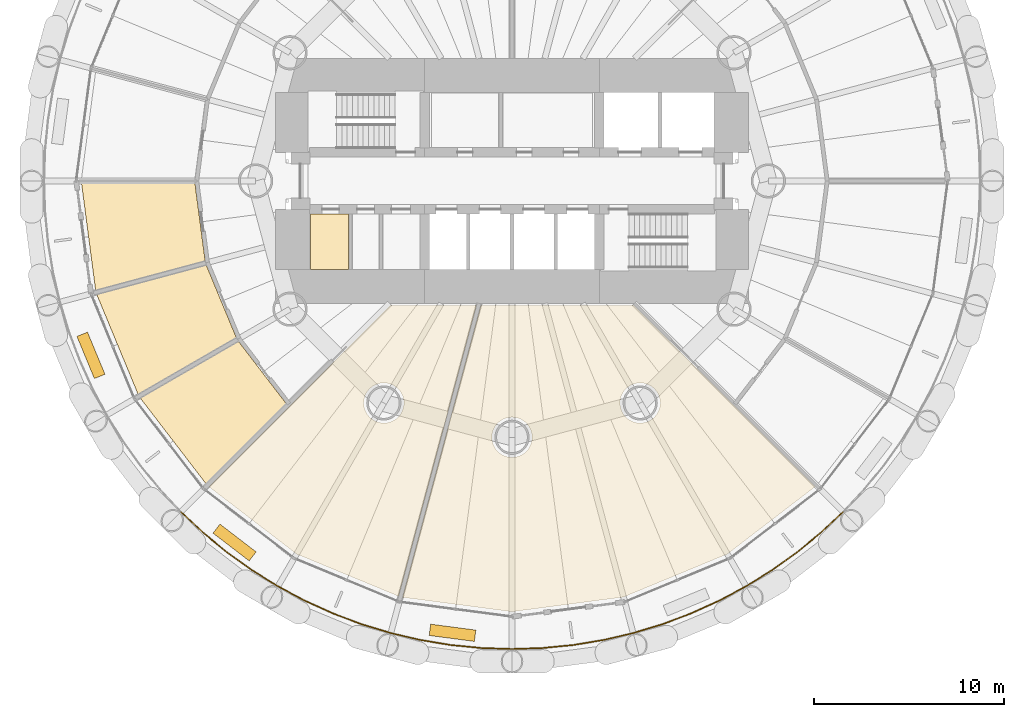
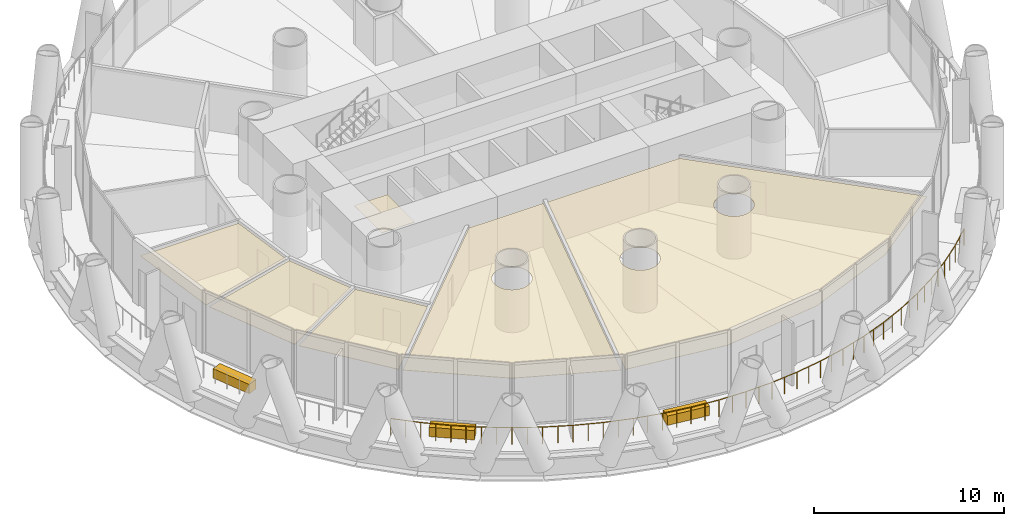
# One storey, part 13 of 16: 9 coverings, 1 railing.
"""IFC4 building model written with IfcOpenShell, lengths in metres."""

from ifc_helpers import new_model, si_unit, direction, frame, origin, origin_2d, place, context, subcontext, project, spatial, polyline, rectangle, circle, outline, extrude, material, layer, layer_set, type_object, element, save


model = new_model("IFC4")

# Units and contexts
model_context = context("Model", 3, precision=1e-05, world=origin(), true_north=direction((0.0, 1.0)))
body_context = subcontext(model_context, "Body", "Model", "MODEL_VIEW")
ifc_project = project(units=[si_unit("LENGTHUNIT", "METRE"), si_unit("AREAUNIT", "SQUARE_METRE"), si_unit("VOLUMEUNIT", "CUBIC_METRE"), si_unit("PLANEANGLEUNIT", "RADIAN"), si_unit("MASSUNIT", "GRAM", prefix="KILO")], contexts=[model_context])

# Site, building, storey
site_placement = place(None, origin())
site = spatial("IfcSite", under=ifc_project, at=site_placement, CompositionType="ELEMENT")
building_placement = place(site_placement, origin())
building = spatial("IfcBuilding", under=site, at=building_placement, Name="Qaws Media Tower", CompositionType="ELEMENT")
storey_placement = place(building_placement, frame((0.0, 0.0, 105.800048828125)))
storey = spatial("IfcBuildingStorey", under=building, at=storey_placement, Name="L23", CompositionType="ELEMENT", Elevation=105.800048828125)

# Railing
ifc_material_1 = material(Name="Stainless steel and glass guard", Category="steel")
railing_type = type_object("IfcRailingType", Name="Balcony guard 1100", PredefinedType="GUARDRAIL", material=ifc_material_1)
railing_placement = place(storey_placement, frame((42.56982421875, 32.56982421875, 0.0)))
element("IfcRailing", 1, at=railing_placement, inside=storey, type_object=railing_type, Name="GR1 balcony guard L23-3", PredefinedType="GUARDRAIL", context=body_context, shape_type="SweptSolid", body=[
    extrude(circle(Radius=0.02392578125, at=origin_2d()), frame((0.0, 0.0, 1.076171875), z_axis=(0.729810897711, -0.683649071953, 0.0), x_axis=(0.683649071953, 0.729810897711, 0.0)), (0.0, 0.0, 1.0), 1.613037109375),
    extrude(circle(Radius=0.02392578125, at=origin_2d()), frame((1.17724609375, -1.102783203125, 1.076171875), z_axis=(0.773086691334, -0.634300376543, 0.0), x_axis=(0.634300376543, 0.773086691334, 0.0)), (0.0, 0.0, 1.0), 1.613037109375),
    extrude(circle(Radius=0.02392578125, at=origin_2d()), frame((2.42431640625, -2.1259765625, 1.076171875), z_axis=(0.8128529613, -0.582468937632, 0.0), x_axis=(0.582468937632, 0.8128529613, 0.0)), (0.0, 0.0, 1.0), 1.61279296875),
    extrude(circle(Radius=0.02392578125, at=origin_2d()), frame((3.7353515625, -3.0654296875, 1.076171875), z_axis=(0.849211955716, -0.52805213215, 0.0), x_axis=(0.52805213215, 0.849211955716, 0.0)), (0.0, 0.0, 1.0), 1.613037109375),
    extrude(circle(Radius=0.02392578125, at=origin_2d()), frame((5.105224609375, -3.917236328125, 1.076171875), z_axis=(0.881895867878, -0.471444247201, 0.0), x_axis=(0.471444247201, 0.881895867878, 0.0)), (0.0, 0.0, 1.0), 1.613037109375),
    extrude(circle(Radius=0.02392578125, at=origin_2d()), frame((6.52783203125, -4.677734375, 1.076171875), z_axis=(0.910847911629, -0.412742149387, 0.0), x_axis=(0.412742149387, 0.910847911629, 0.0)), (0.0, 0.0, 1.0), 1.613037109375),
    extrude(circle(Radius=0.02392578125, at=origin_2d()), frame((7.9970703125, -5.343505859375, 1.076171875), z_axis=(0.93591173605, -0.352234612614, 0.0), x_axis=(0.352234612614, 0.93591173605, 0.0)), (0.0, 0.0, 1.0), 1.61279296875),
    extrude(circle(Radius=0.02392578125, at=origin_2d()), frame((9.506591796875, -5.91162109375, 1.076171875), z_axis=(0.956942903571, -0.290276212091, 0.0), x_axis=(0.290276212091, 0.956942903571, 0.0)), (0.0, 0.0, 1.0), 1.613037109375),
    extrude(circle(Radius=0.02392578125, at=origin_2d()), frame((11.05029296875, -6.3798828125, 1.076171875), z_axis=(0.973883619679, -0.22704778202, 0.0), x_axis=(0.22704778202, 0.973883619679, 0.0)), (0.0, 0.0, 1.0), 1.613037109375),
    extrude(circle(Radius=0.02392578125, at=origin_2d()), frame((12.62109375, -6.74609375, 1.076171875), z_axis=(0.986626086838, -0.162999891935, 0.0), x_axis=(0.162999891935, 0.986626086838, 0.0)), (0.0, 0.0, 1.0), 1.613037109375),
    extrude(circle(Radius=0.02392578125, at=origin_2d()), frame((14.212646484375, -7.009033203125, 1.076171875), z_axis=(0.995193300671, -0.09793004799, 0.0), x_axis=(0.09793004799, 0.995193300671, 0.0)), (0.0, 0.0, 1.0), 1.613037109375),
    extrude(circle(Radius=0.02392578125, at=origin_2d()), frame((15.81787109375, -7.1669921875, 1.076171875), z_axis=(0.999465540133, -0.032689969211, 0.0), x_axis=(0.032689969211, 0.999465540133, 0.0)), (0.0, 0.0, 1.0), 1.61328125),
    extrude(circle(Radius=0.02392578125, at=origin_2d()), frame((17.43017578125, -7.2197265625, 1.076171875), z_axis=(0.999465540133, 0.032689969211, 0.0), x_axis=(-0.032689969211, 0.999465540133, 0.0)), (0.0, 0.0, 1.0), 1.61328125),
    extrude(circle(Radius=0.02392578125, at=origin_2d()), frame((19.04248046875, -7.1669921875, 1.076171875), z_axis=(0.995193300671, 0.09793004799, 0.0), x_axis=(-0.09793004799, 0.995193300671, 0.0)), (0.0, 0.0, 1.0), 1.613037109375),
    extrude(circle(Radius=0.02392578125, at=origin_2d()), frame((20.647705078125, -7.009033203125, 1.076171875), z_axis=(0.986626086838, 0.162999891935, 0.0), x_axis=(-0.162999891935, 0.986626086838, 0.0)), (0.0, 0.0, 1.0), 1.613037109375),
    extrude(circle(Radius=0.02392578125, at=origin_2d()), frame((22.2392578125, -6.74609375, 1.076171875), z_axis=(0.973883619679, 0.22704778202, 0.0), x_axis=(-0.22704778202, 0.973883619679, 0.0)), (0.0, 0.0, 1.0), 1.613037109375),
    extrude(circle(Radius=0.02392578125, at=origin_2d()), frame((23.81005859375, -6.3798828125, 1.076171875), z_axis=(0.956942903571, 0.290276212091, 0.0), x_axis=(-0.290276212091, 0.956942903571, 0.0)), (0.0, 0.0, 1.0), 1.613037109375),
    extrude(circle(Radius=0.02392578125, at=origin_2d()), frame((25.353759765625, -5.91162109375, 1.076171875), z_axis=(0.93591173605, 0.352234612614, 0.0), x_axis=(-0.352234612614, 0.93591173605, 0.0)), (0.0, 0.0, 1.0), 1.61279296875),
    extrude(circle(Radius=0.02392578125, at=origin_2d()), frame((26.86328125, -5.343505859375, 1.076171875), z_axis=(0.910847911629, 0.412742149387, 0.0), x_axis=(-0.412742149387, 0.910847911629, 0.0)), (0.0, 0.0, 1.0), 1.613037109375),
    extrude(circle(Radius=0.02392578125, at=origin_2d()), frame((28.33251953125, -4.677734375, 1.076171875), z_axis=(0.881895867878, 0.471444247201, 0.0), x_axis=(-0.471444247201, 0.881895867878, 0.0)), (0.0, 0.0, 1.0), 1.613037109375),
    extrude(circle(Radius=0.02392578125, at=origin_2d()), frame((29.755126953125, -3.917236328125, 1.076171875), z_axis=(0.849211955716, 0.52805213215, 0.0), x_axis=(-0.52805213215, 0.849211955716, 0.0)), (0.0, 0.0, 1.0), 1.613037109375),
    extrude(circle(Radius=0.02392578125, at=origin_2d()), frame((31.125, -3.0654296875, 1.076171875), z_axis=(0.8128529613, 0.582468937632, 0.0), x_axis=(-0.582468937632, 0.8128529613, 0.0)), (0.0, 0.0, 1.0), 1.61279296875),
    extrude(circle(Radius=0.02392578125, at=origin_2d()), frame((32.43603515625, -2.1259765625, 1.076171875), z_axis=(0.773086691334, 0.634300376543, 0.0), x_axis=(-0.634300376543, 0.773086691334, 0.0)), (0.0, 0.0, 1.0), 1.613037109375),
    extrude(circle(Radius=0.02392578125, at=origin_2d()), frame((33.68310546875, -1.102783203125, 1.076171875), z_axis=(0.729810897711, 0.683649071953, 0.0), x_axis=(-0.683649071953, 0.729810897711, 0.0)), (0.0, 0.0, 1.0), 1.613037109375),
    extrude(circle(Radius=0.02099609375, at=origin_2d()), origin(), (0.0, 0.0, 1.0), 1.052001953125),
    extrude(circle(Radius=0.02099609375, at=origin_2d()), frame((0.588623046875, -0.55126953125, 0.0)), (0.0, 0.0, 1.0), 1.052001953125),
    extrude(circle(Radius=0.02099609375, at=origin_2d()), frame((1.17724609375, -1.102783203125, 0.0)), (0.0, 0.0, 1.0), 1.052001953125),
    extrude(circle(Radius=0.02099609375, at=origin_2d()), frame((1.80078125, -1.6142578125, 0.0)), (0.0, 0.0, 1.0), 1.052001953125),
    extrude(circle(Radius=0.02099609375, at=origin_2d()), frame((2.42431640625, -2.1259765625, 0.0)), (0.0, 0.0, 1.0), 1.052001953125),
    extrude(circle(Radius=0.02099609375, at=origin_2d()), frame((3.079833984375, -2.595703125, 0.0)), (0.0, 0.0, 1.0), 1.052001953125),
    extrude(circle(Radius=0.02099609375, at=origin_2d()), frame((3.7353515625, -3.0654296875, 0.0)), (0.0, 0.0, 1.0), 1.052001953125),
    extrude(circle(Radius=0.02099609375, at=origin_2d()), frame((4.42041015625, -3.4912109375, 0.0)), (0.0, 0.0, 1.0), 1.052001953125),
    extrude(circle(Radius=0.02099609375, at=origin_2d()), frame((5.105224609375, -3.917236328125, 0.0)), (0.0, 0.0, 1.0), 1.052001953125),
    extrude(circle(Radius=0.02099609375, at=origin_2d()), frame((5.81640625, -4.29736328125, 0.0)), (0.0, 0.0, 1.0), 1.052001953125),
    extrude(circle(Radius=0.02099609375, at=origin_2d()), frame((6.52783203125, -4.677734375, 0.0)), (0.0, 0.0, 1.0), 1.052001953125),
    extrude(circle(Radius=0.02099609375, at=origin_2d()), frame((7.262451171875, -5.0107421875, 0.0)), (0.0, 0.0, 1.0), 1.052001953125),
    extrude(circle(Radius=0.02099609375, at=origin_2d()), frame((7.9970703125, -5.343505859375, 0.0)), (0.0, 0.0, 1.0), 1.052001953125),
    extrude(circle(Radius=0.02099609375, at=origin_2d()), frame((8.751953125, -5.62744140625, 0.0)), (0.0, 0.0, 1.0), 1.052001953125),
    extrude(circle(Radius=0.02099609375, at=origin_2d()), frame((9.506591796875, -5.91162109375, 0.0)), (0.0, 0.0, 1.0), 1.052001953125),
    extrude(circle(Radius=0.02099609375, at=origin_2d()), frame((10.2783203125, -6.145751953125, 0.0)), (0.0, 0.0, 1.0), 1.052001953125),
    extrude(circle(Radius=0.02099609375, at=origin_2d()), frame((11.05029296875, -6.3798828125, 0.0)), (0.0, 0.0, 1.0), 1.052001953125),
    extrude(circle(Radius=0.02099609375, at=origin_2d()), frame((11.835693359375, -6.56298828125, 0.0)), (0.0, 0.0, 1.0), 1.052001953125),
    extrude(circle(Radius=0.02099609375, at=origin_2d()), frame((12.62109375, -6.74609375, 0.0)), (0.0, 0.0, 1.0), 1.052001953125),
    extrude(circle(Radius=0.02099609375, at=origin_2d()), frame((13.4169921875, -6.87744140625, 0.0)), (0.0, 0.0, 1.0), 1.052001953125),
    extrude(circle(Radius=0.02099609375, at=origin_2d()), frame((14.212646484375, -7.009033203125, 0.0)), (0.0, 0.0, 1.0), 1.052001953125),
    extrude(circle(Radius=0.02099609375, at=origin_2d()), frame((15.01513671875, -7.087890625, 0.0)), (0.0, 0.0, 1.0), 1.052001953125),
    extrude(circle(Radius=0.02099609375, at=origin_2d()), frame((15.81787109375, -7.1669921875, 0.0)), (0.0, 0.0, 1.0), 1.052001953125),
    extrude(circle(Radius=0.02099609375, at=origin_2d()), frame((16.6240234375, -7.193359375, 0.0)), (0.0, 0.0, 1.0), 1.052001953125),
    extrude(circle(Radius=0.02099609375, at=origin_2d()), frame((17.43017578125, -7.2197265625, 0.0)), (0.0, 0.0, 1.0), 1.052001953125),
    extrude(circle(Radius=0.02099609375, at=origin_2d()), frame((18.236328125, -7.193359375, 0.0)), (0.0, 0.0, 1.0), 1.052001953125),
    extrude(circle(Radius=0.02099609375, at=origin_2d()), frame((19.04248046875, -7.1669921875, 0.0)), (0.0, 0.0, 1.0), 1.052001953125),
    extrude(circle(Radius=0.02099609375, at=origin_2d()), frame((19.84521484375, -7.087890625, 0.0)), (0.0, 0.0, 1.0), 1.052001953125),
    extrude(circle(Radius=0.02099609375, at=origin_2d()), frame((20.647705078125, -7.009033203125, 0.0)), (0.0, 0.0, 1.0), 1.052001953125),
    extrude(circle(Radius=0.02099609375, at=origin_2d()), frame((21.443359375, -6.87744140625, 0.0)), (0.0, 0.0, 1.0), 1.052001953125),
    extrude(circle(Radius=0.02099609375, at=origin_2d()), frame((22.2392578125, -6.74609375, 0.0)), (0.0, 0.0, 1.0), 1.052001953125),
    extrude(circle(Radius=0.02099609375, at=origin_2d()), frame((23.024658203125, -6.56298828125, 0.0)), (0.0, 0.0, 1.0), 1.052001953125),
    extrude(circle(Radius=0.02099609375, at=origin_2d()), frame((23.81005859375, -6.3798828125, 0.0)), (0.0, 0.0, 1.0), 1.052001953125),
    extrude(circle(Radius=0.02099609375, at=origin_2d()), frame((24.58203125, -6.145751953125, 0.0)), (0.0, 0.0, 1.0), 1.052001953125),
    extrude(circle(Radius=0.02099609375, at=origin_2d()), frame((25.353759765625, -5.91162109375, 0.0)), (0.0, 0.0, 1.0), 1.052001953125),
    extrude(circle(Radius=0.02099609375, at=origin_2d()), frame((26.1083984375, -5.62744140625, 0.0)), (0.0, 0.0, 1.0), 1.052001953125),
    extrude(circle(Radius=0.02099609375, at=origin_2d()), frame((26.86328125, -5.343505859375, 0.0)), (0.0, 0.0, 1.0), 1.052001953125),
    extrude(circle(Radius=0.02099609375, at=origin_2d()), frame((27.597900390625, -5.0107421875, 0.0)), (0.0, 0.0, 1.0), 1.052001953125),
    extrude(circle(Radius=0.02099609375, at=origin_2d()), frame((28.33251953125, -4.677734375, 0.0)), (0.0, 0.0, 1.0), 1.052001953125),
    extrude(circle(Radius=0.02099609375, at=origin_2d()), frame((29.0439453125, -4.29736328125, 0.0)), (0.0, 0.0, 1.0), 1.052001953125),
    extrude(circle(Radius=0.02099609375, at=origin_2d()), frame((29.755126953125, -3.917236328125, 0.0)), (0.0, 0.0, 1.0), 1.052001953125),
    extrude(circle(Radius=0.02099609375, at=origin_2d()), frame((30.43994140625, -3.4912109375, 0.0)), (0.0, 0.0, 1.0), 1.052001953125),
    extrude(circle(Radius=0.02099609375, at=origin_2d()), frame((31.125, -3.0654296875, 0.0)), (0.0, 0.0, 1.0), 1.052001953125),
    extrude(circle(Radius=0.02099609375, at=origin_2d()), frame((31.780517578125, -2.595703125, 0.0)), (0.0, 0.0, 1.0), 1.052001953125),
    extrude(circle(Radius=0.02099609375, at=origin_2d()), frame((32.43603515625, -2.1259765625, 0.0)), (0.0, 0.0, 1.0), 1.052001953125),
    extrude(circle(Radius=0.02099609375, at=origin_2d()), frame((33.0595703125, -1.6142578125, 0.0)), (0.0, 0.0, 1.0), 1.052001953125),
    extrude(circle(Radius=0.02099609375, at=origin_2d()), frame((33.68310546875, -1.102783203125, 0.0)), (0.0, 0.0, 1.0), 1.052001953125),
    extrude(circle(Radius=0.02099609375, at=origin_2d()), frame((34.271728515625, -0.55126953125, 0.0)), (0.0, 0.0, 1.0), 1.052001953125),
    extrude(circle(Radius=0.02099609375, at=origin_2d()), frame((34.8603515625, 0.0, 0.0)), (0.0, 0.0, 1.0), 1.052001953125),
])

# Coverings
ifc_material_2 = material(Name="600 x 600 mineral fibre tiles in exposed grid, suspended", Category="mineral fibre")
ifc_layer_1 = layer(ifc_material_2, 0.02001953125)
ifc_layer_set_1 = layer_set([ifc_layer_1], Name="Mineral fibre tile ceiling 20")
covering_type_1 = type_object("IfcCoveringType", Name="Mineral fibre tile ceiling 20", PredefinedType="CEILING", material=ifc_layer_set_1)
covering_1_placement = place(storey_placement, frame((0.0, 0.0, 2.849853515625)))
element("IfcCovering", 2, at=covering_1_placement, inside=storey, type_object=covering_type_1, Name="CL1 ceiling L23-11 Staff clinic", PredefinedType="CEILING", context=body_context, shape_type="SweptSolid", body=[
    extrude(outline(polyline([(75.950927734375, 33.889892578125), (71.342529296875, 30.35400390625), (65.871337890625, 28.087646484375), (60.0, 27.314697265625), (54.2412109375, 28.072998046875), (58.358154296875, 43.4375), (66.4033203125, 43.4375), (75.950927734375, 33.889892578125)]), holes=[polyline([(61.02392578125, 36.2255859375), (61.05078125, 36.361572265625), (61.06005859375, 36.5), (61.05078125, 36.638427734375), (61.02392578125, 36.7744140625), (60.979248046875, 36.905517578125), (60.91796875, 37.030029296875), (60.841064453125, 37.145263671875), (60.74951171875, 37.24951171875), (60.645263671875, 37.341064453125), (60.530029296875, 37.41796875), (60.405517578125, 37.479248046875), (60.2744140625, 37.52392578125), (60.138427734375, 37.55078125), (60.0, 37.56005859375), (59.861572265625, 37.55078125), (59.7255859375, 37.52392578125), (59.594482421875, 37.479248046875), (59.469970703125, 37.41796875), (59.354736328125, 37.341064453125), (59.25048828125, 37.24951171875), (59.158935546875, 37.145263671875), (59.08203125, 37.030029296875), (59.020751953125, 36.905517578125), (58.97607421875, 36.7744140625), (58.94921875, 36.638427734375), (58.93994140625, 36.5), (58.94921875, 36.361572265625), (58.97607421875, 36.2255859375), (59.020751953125, 36.094482421875), (59.08203125, 35.969970703125), (59.158935546875, 35.854736328125), (59.25048828125, 35.75048828125), (59.354736328125, 35.658935546875), (59.469970703125, 35.58203125), (59.594482421875, 35.520751953125), (59.7255859375, 35.47607421875), (59.861572265625, 35.44921875), (60.0, 35.43994140625), (60.138427734375, 35.44921875), (60.2744140625, 35.47607421875), (60.405517578125, 35.520751953125), (60.530029296875, 35.58203125), (60.645263671875, 35.658935546875), (60.74951171875, 35.75048828125), (60.841064453125, 35.854736328125), (60.91796875, 35.969970703125), (60.979248046875, 36.094482421875), (61.02392578125, 36.2255859375)]), polyline([(67.729248046875, 37.903076171875), (67.77392578125, 38.0341796875), (67.80078125, 38.17041015625), (67.81005859375, 38.30859375), (67.80078125, 38.447021484375), (67.77392578125, 38.5830078125), (67.729248046875, 38.71435546875), (67.66796875, 38.838623046875), (67.591064453125, 38.953857421875), (67.49951171875, 39.05810546875), (67.395263671875, 39.149658203125), (67.280029296875, 39.2265625), (67.155517578125, 39.2880859375), (67.0244140625, 39.33251953125), (66.888427734375, 39.359619140625), (66.75, 39.36865234375), (66.611572265625, 39.359619140625), (66.4755859375, 39.33251953125), (66.344482421875, 39.2880859375), (66.219970703125, 39.2265625), (66.104736328125, 39.149658203125), (66.00048828125, 39.05810546875), (65.908935546875, 38.953857421875), (65.83203125, 38.838623046875), (65.770751953125, 38.71435546875), (65.72607421875, 38.5830078125), (65.69921875, 38.447021484375), (65.68994140625, 38.30859375), (65.69921875, 38.17041015625), (65.72607421875, 38.0341796875), (65.770751953125, 37.903076171875), (65.83203125, 37.77880859375), (65.908935546875, 37.663330078125), (66.00048828125, 37.55908203125), (66.104736328125, 37.4677734375), (66.219970703125, 37.390625), (66.344482421875, 37.329345703125), (66.4755859375, 37.284912109375), (66.611572265625, 37.2578125), (66.75, 37.248779296875), (66.888427734375, 37.2578125), (67.0244140625, 37.284912109375), (67.155517578125, 37.329345703125), (67.280029296875, 37.390625), (67.395263671875, 37.4677734375), (67.49951171875, 37.55908203125), (67.591064453125, 37.663330078125), (67.66796875, 37.77880859375), (67.729248046875, 37.903076171875)])]), origin(), (0.0, 0.0, 1.0), 0.02001953125),
])
covering_2_placement = place(storey_placement, frame((0.0, 0.0, 2.849853515625)))
element("IfcCovering", 3, at=covering_2_placement, inside=storey, type_object=covering_type_1, Name="CL1 ceiling L23-C04 Shower room", PredefinedType="CEILING", context=body_context, shape_type="SweptSolid", body=[
    extrude(outline(polyline([(49.39990234375, 45.35009765625), (49.39990234375, 48.25), (51.39990234375, 48.25), (51.39990234375, 45.35009765625), (49.39990234375, 45.35009765625)])), origin(), (0.0, 0.0, 1.0), 0.02001953125),
])
ifc_material_3 = material(Name="Precast concrete planter with trailing planting", Category="concrete")
ifc_layer_2 = layer(ifc_material_3, 0.60009765625)
ifc_layer_set_2 = layer_set([ifc_layer_2], Name="Planter 2400x600")
covering_type_2 = type_object("IfcCoveringType", Name="Planter 2400x600", PredefinedType="USERDEFINED", material=ifc_layer_set_2)
for number, where, z_axis, x_axis, name in (
    (4, (37.826904296875, 40.815673828125, 0.0), (0.0, 0.0, 1.0), (0.382683432365, -0.923879532511, 0.0), "PL1 balcony planter L23-07"),
    (5, (45.3896484375, 30.95947265625, 0.0), (0.0, 0.0, 1.0), (0.793353340291, -0.608761429009, 0.0), "PL1 balcony planter L23-08"),
    (6, (56.867431640625, 26.205322265625, 0.0), (0.0, 0.0, 1.0), (0.991444861374, -0.13052619222, 0.0), "PL1 balcony planter L23-09"),
):
    element("IfcCovering", number, at=place(storey_placement, frame(where, z_axis=z_axis, x_axis=x_axis)), inside=storey, type_object=covering_type_2, Name=name, ObjectType="PLANTER", PredefinedType="USERDEFINED", context=body_context, shape_type="SweptSolid", body=[
        extrude(rectangle(XDim=2.39990234375, YDim=0.60009765625, at=origin_2d()), origin(), (0.0, 0.0, 1.0), 0.60009765625),
    ])
ifc_material_4 = material(Name="Two layers 12.5 moisture-resistant plasterboard on suspended metal furring", Category="gypsum")
ifc_layer_3 = layer(ifc_material_4, 0.02490234375)
ifc_layer_set_3 = layer_set([ifc_layer_3], Name="Plasterboard ceiling 25")
covering_type_3 = type_object("IfcCoveringType", Name="Plasterboard ceiling 25", PredefinedType="CEILING", material=ifc_layer_set_3)
covering_3_placement = place(storey_placement, frame((0.0, 0.0, 2.849853515625)))
element("IfcCovering", 7, at=covering_3_placement, inside=storey, type_object=covering_type_3, Name="CL2 ceiling L23-07 Staff office", PredefinedType="CEILING", context=body_context, shape_type="SweptSolid", body=[
    extrude(outline(polyline([(37.32958984375, 49.887451171875), (43.30126953125, 49.887451171875), (43.84130859375, 45.78662109375), (38.072998046875, 44.2412109375), (37.32958984375, 49.887451171875)])), origin(), (0.0, 0.0, 1.0), 0.025146484375),
])
covering_4_placement = place(storey_placement, frame((0.0, 0.0, 2.849853515625)))
element("IfcCovering", 8, at=covering_4_placement, inside=storey, type_object=covering_type_3, Name="CL2 ceiling L23-08 Ablutions (men)", PredefinedType="CEILING", context=body_context, shape_type="SweptSolid", body=[
    extrude(outline(polyline([(38.131103515625, 44.023681640625), (43.8994140625, 45.5693359375), (45.482421875, 41.748046875), (40.310546875, 38.76220703125), (38.131103515625, 44.023681640625)])), origin(), (0.0, 0.0, 1.0), 0.025146484375),
])
covering_5_placement = place(storey_placement, frame((0.0, 0.0, 2.849853515625)))
element("IfcCovering", 9, at=covering_5_placement, inside=storey, type_object=covering_type_3, Name="CL2 ceiling L23-09 Ablutions (women)", PredefinedType="CEILING", context=body_context, shape_type="SweptSolid", body=[
    extrude(outline(polyline([(40.423095703125, 38.5673828125), (45.5947265625, 41.55322265625), (48.11279296875, 38.271728515625), (43.889892578125, 34.049072265625), (40.423095703125, 38.5673828125)])), origin(), (0.0, 0.0, 1.0), 0.025146484375),
])
covering_6_placement = place(storey_placement, frame((0.0, 0.0, 2.849853515625)))
element("IfcCovering", 10, at=covering_6_placement, inside=storey, type_object=covering_type_3, Name="CL2 ceiling L23-10 IT help desk", PredefinedType="CEILING", context=body_context, shape_type="SweptSolid", body=[
    extrude(outline(polyline([(48.657470703125, 30.35400390625), (44.049072265625, 33.889892578125), (53.5966796875, 43.4375), (58.125, 43.4375), (54.023681640625, 28.131103515625), (48.657470703125, 30.35400390625)]), holes=[polyline([(54.27392578125, 38.0341796875), (54.30078125, 38.17041015625), (54.31005859375, 38.30859375), (54.30078125, 38.447021484375), (54.27392578125, 38.5830078125), (54.229248046875, 38.71435546875), (54.16796875, 38.838623046875), (54.091064453125, 38.953857421875), (53.99951171875, 39.05810546875), (53.895263671875, 39.149658203125), (53.780029296875, 39.2265625), (53.655517578125, 39.2880859375), (53.5244140625, 39.33251953125), (53.388427734375, 39.359619140625), (53.25, 39.36865234375), (53.111572265625, 39.359619140625), (52.9755859375, 39.33251953125), (52.844482421875, 39.2880859375), (52.719970703125, 39.2265625), (52.604736328125, 39.149658203125), (52.50048828125, 39.05810546875), (52.408935546875, 38.953857421875), (52.33203125, 38.838623046875), (52.270751953125, 38.71435546875), (52.22607421875, 38.5830078125), (52.19921875, 38.447021484375), (52.18994140625, 38.30859375), (52.19921875, 38.17041015625), (52.22607421875, 38.0341796875), (52.270751953125, 37.903076171875), (52.33203125, 37.77880859375), (52.408935546875, 37.663330078125), (52.50048828125, 37.55908203125), (52.604736328125, 37.4677734375), (52.719970703125, 37.390625), (52.844482421875, 37.329345703125), (52.9755859375, 37.284912109375), (53.111572265625, 37.2578125), (53.25, 37.248779296875), (53.388427734375, 37.2578125), (53.5244140625, 37.284912109375), (53.655517578125, 37.329345703125), (53.780029296875, 37.390625), (53.895263671875, 37.4677734375), (53.99951171875, 37.55908203125), (54.091064453125, 37.663330078125), (54.16796875, 37.77880859375), (54.229248046875, 37.903076171875), (54.27392578125, 38.0341796875)])]), origin(), (0.0, 0.0, 1.0), 0.025146484375),
])

save(model, "model.ifc")
